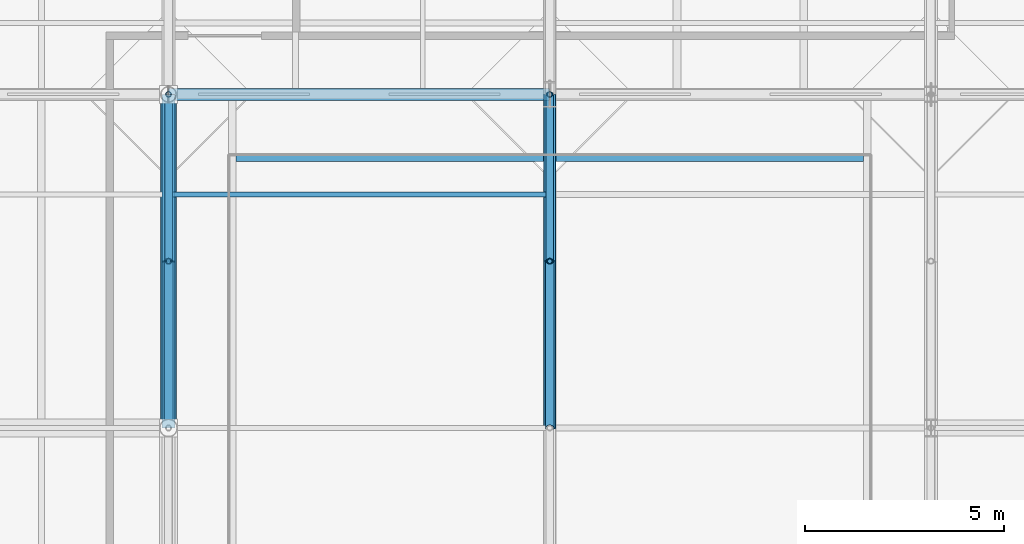
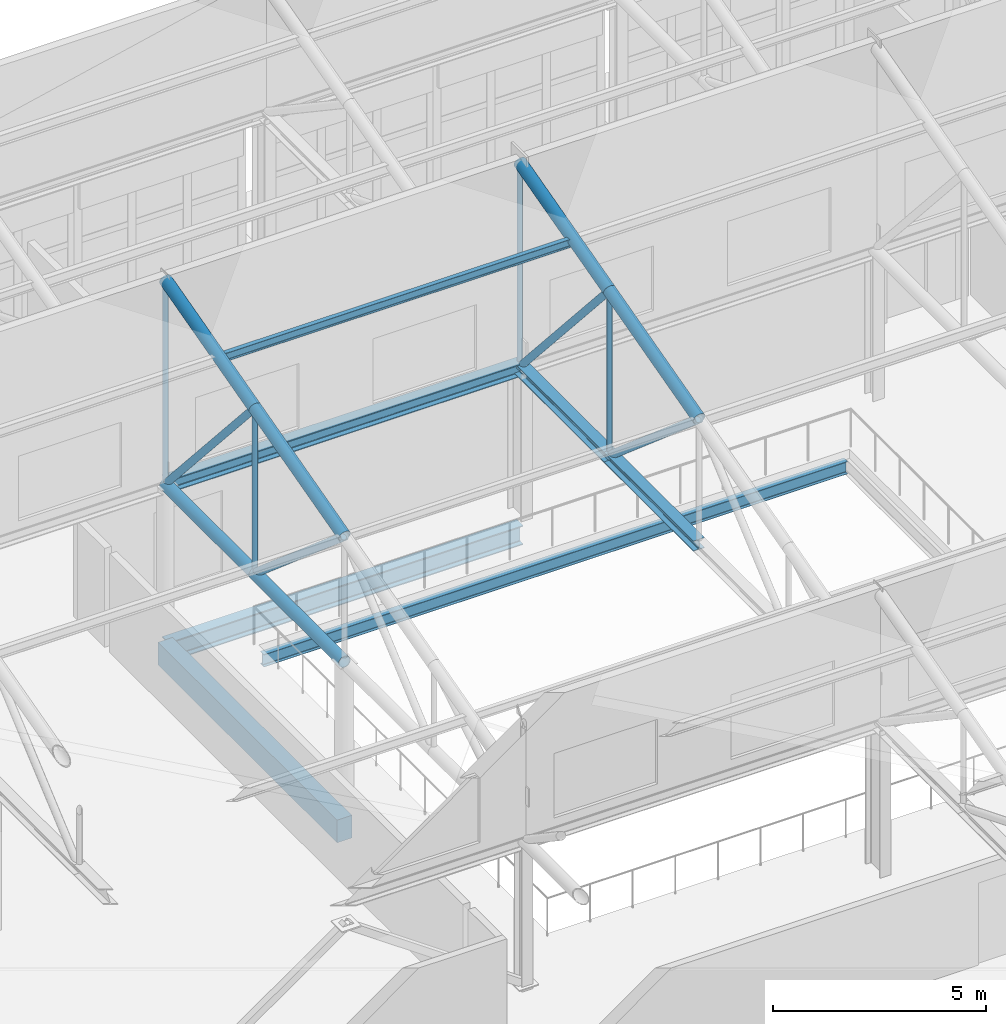
# One storey, part 36 of 89: 17 members, 4 beams.
"""IFC4 building model written with IfcOpenShell, lengths in metres."""

from ifc_helpers import new_model, si_unit, direction, frame, origin, origin_2d, place, context, subcontext, project, spatial, rectangle, hollow_circle, i_section, extrude, material, material_profile, profile_set, type_object, element, save


model = new_model("IFC4")

# Units and contexts
model_context = context("Model", 3, precision=1e-05, world=origin(), true_north=direction((0.0, 1.0)))
body_context = subcontext(model_context, "Body", "Model", "MODEL_VIEW")
ifc_project = project(units=[si_unit("LENGTHUNIT", "METRE"), si_unit("AREAUNIT", "SQUARE_METRE"), si_unit("VOLUMEUNIT", "CUBIC_METRE"), si_unit("PLANEANGLEUNIT", "RADIAN"), si_unit("MASSUNIT", "GRAM", prefix="KILO")], contexts=[model_context])

# Site, building, storey
site_placement = place(None, origin())
site = spatial("IfcSite", under=ifc_project, at=site_placement, CompositionType="ELEMENT")
building_placement = place(site_placement, origin())
building = spatial("IfcBuilding", under=site, at=building_placement, Name="Zereglee Splitstone Museum", CompositionType="ELEMENT")
storey_placement = place(building_placement, frame((0.0, 0.0, 21.300048828125)))
storey = spatial("IfcBuildingStorey", under=building, at=storey_placement, Name="L04", CompositionType="ELEMENT", Elevation=21.300048828125)

# Beam
ifc_material_1 = material(Name="Concrete C40/50", Category="concrete")
ifc_material_profile_1 = material_profile(ifc_material_1, rectangle(XDim=0.39990234375, YDim=0.64990234375, at=origin_2d()), Name="RC 400x650")
ifc_profile_set_1 = profile_set([ifc_material_profile_1], Name="Concrete C40/50")
beam_type_1 = type_object("IfcBeamType", Name="BG-04", PredefinedType="BEAM", material=ifc_profile_set_1)
beam_1_placement = place(storey_placement, frame((97.199951171875, 30.0, -0.5849609375), z_axis=(0.0, 1.0, 0.0), x_axis=(-1.0, 0.0, 0.0)))
element("IfcBeam", 1, at=beam_1_placement, inside=storey, type_object=beam_type_1, Name="Primary Girder L04 12 (30.0-38.4)", PredefinedType="BEAM", context=body_context, shape_type="SweptSolid", body=[
    extrude(rectangle(XDim=0.39990234375, YDim=0.64990234375, at=origin_2d()), origin(), (0.0, 0.0, 1.0), 8.39990234375),
])

# Members
ifc_material_2 = material(Name="Steel S355J2H", Category="steel")
ifc_material_profile_2 = material_profile(ifc_material_2, hollow_circle(Radius=0.096923828125, WallThickness=0.010009765625, at=origin_2d()), Name="CHS 193.7x10")
ifc_profile_set_2 = profile_set([ifc_material_profile_2], Name="Steel S355J2H")
member_type_1 = type_object("IfcMemberType", Name="TB-04", PredefinedType="BRACE", material=ifc_profile_set_2)
for number, where, z_axis, x_axis, name in (
    (2, (97.199951171875, 38.39990234375, 4.199951171875), (0.0, -0.664351853733, 0.747419971932), (1.0, 0.0, 0.0), "Roof Truss ST-03 Diagonal 2.4"),
    (3, (106.800048828125, 38.39990234375, 4.199951171875), (0.0, -0.664351853733, 0.747419971932), (1.0, 0.0, 0.0), "Roof Truss ST-04 Diagonal 2.4"),
):
    element("IfcMember", number, at=place(storey_placement, frame(where, z_axis=z_axis, x_axis=x_axis)), inside=storey, type_object=member_type_1, Name=name, PredefinedType="BRACE", context=body_context, shape_type="SweptSolid", body=[
        extrude(hollow_circle(Radius=0.096923828125, WallThickness=0.010009765625, at=origin_2d()), origin(), (0.0, 0.0, 1.0), 6.32177734375),
    ])
ifc_material_profile_3 = material_profile(ifc_material_2, hollow_circle(Radius=0.109619140625, WallThickness=0.010009765625, at=origin_2d()), Name="CHS 219.1x10")
ifc_profile_set_3 = profile_set([ifc_material_profile_3], Name="Steel S355J2H")
member_type_2 = type_object("IfcMemberType", Name="TB-03", PredefinedType="BRACE", material=ifc_profile_set_3)
for number, where, z_axis, x_axis, name in (
    (4, (97.199951171875, 34.199951171875, 4.199951171875), (0.0, -0.759244140748, 0.650805911728), (1.0, 0.0, 0.0), "Roof Truss ST-03 Diagonal 2.3"),
    (5, (106.800048828125, 34.199951171875, 4.199951171875), (0.0, -0.759244140748, 0.650805911728), (1.0, 0.0, 0.0), "Roof Truss ST-04 Diagonal 2.3"),
):
    element("IfcMember", number, at=place(storey_placement, frame(where, z_axis=z_axis, x_axis=x_axis)), inside=storey, type_object=member_type_2, Name=name, PredefinedType="BRACE", context=body_context, shape_type="SweptSolid", body=[
        extrude(hollow_circle(Radius=0.109619140625, WallThickness=0.010009765625, at=origin_2d()), origin(), (0.0, 0.0, 1.0), 5.53173828125),
    ])
ifc_material_profile_4 = material_profile(ifc_material_2, hollow_circle(Radius=0.161865234375, WallThickness=0.01611328125, at=origin_2d()), Name="CHS 323.9x16")
ifc_profile_set_4 = profile_set([ifc_material_profile_4], Name="Steel S355J2H")
member_type_3 = type_object("IfcMemberType", Name="TC-05", PredefinedType="CHORD", material=ifc_profile_set_4)
member_1_placement = place(storey_placement, frame((97.199951171875, 30.0, 4.199951171875), z_axis=(0.0, 1.0, 0.0), x_axis=(-1.0, 0.0, 0.0)))
element("IfcMember", 6, at=member_1_placement, inside=storey, type_object=member_type_3, Name="Roof Truss ST-03 Bottom Chord 2.3", PredefinedType="CHORD", context=body_context, shape_type="SweptSolid", body=[
    extrude(hollow_circle(Radius=0.161865234375, WallThickness=0.01611328125, at=origin_2d()), origin(), (0.0, 0.0, 1.0), 4.199951171875),
])
member_2_placement = place(storey_placement, frame((97.199951171875, 30.0, 7.800048828125), z_axis=(0.0, 0.965947299715, 0.258738891884), x_axis=(-1.0, 0.0, 0.0)))
element("IfcMember", 7, at=member_2_placement, inside=storey, type_object=member_type_3, Name="Roof Truss ST-03 Top Chord 2.3", PredefinedType="CHORD", context=body_context, shape_type="SweptSolid", body=[
    extrude(hollow_circle(Radius=0.161865234375, WallThickness=0.01611328125, at=origin_2d()), origin(), (0.0, 0.0, 1.0), 4.347900390625),
])
member_3_placement = place(storey_placement, frame((97.199951171875, 34.199951171875, 4.199951171875), z_axis=(0.0, 1.0, 0.0), x_axis=(-1.0, 0.0, 0.0)))
element("IfcMember", 8, at=member_3_placement, inside=storey, type_object=member_type_3, Name="Roof Truss ST-03 Bottom Chord 2.4", PredefinedType="CHORD", context=body_context, shape_type="SweptSolid", body=[
    extrude(hollow_circle(Radius=0.161865234375, WallThickness=0.01611328125, at=origin_2d()), origin(), (0.0, 0.0, 1.0), 4.199951171875),
])
for number, where, z_axis, x_axis, name in (
    (9, (97.199951171875, 34.199951171875, 8.925048828125), (0.0, 0.965947299715, 0.258738891884), (-1.0, 0.0, 0.0), "Roof Truss ST-03 Top Chord 2.4"),
    (10, (106.800048828125, 30.0, 7.800048828125), (0.0, 0.965947299715, 0.258738891884), (-1.0, 0.0, 0.0), "Roof Truss ST-04 Top Chord 2.3"),
    (11, (106.800048828125, 34.199951171875, 8.925048828125), (0.0, 0.965947299715, 0.258738891884), (-1.0, 0.0, 0.0), "Roof Truss ST-04 Top Chord 2.4"),
):
    element("IfcMember", number, at=place(storey_placement, frame(where, z_axis=z_axis, x_axis=x_axis)), inside=storey, type_object=member_type_3, Name=name, PredefinedType="CHORD", context=body_context, shape_type="SweptSolid", body=[
        extrude(hollow_circle(Radius=0.161865234375, WallThickness=0.01611328125, at=origin_2d()), origin(), (0.0, 0.0, 1.0), 4.347900390625),
    ])
ifc_material_3 = material(Name="Steel S355J2", Category="steel")
ifc_material_profile_5 = material_profile(ifc_material_3, i_section(OverallWidth=0.300048828125, OverallDepth=0.300048828125, WebThickness=0.010986328125, FlangeThickness=0.01904296875, FilletRadius=0.027099609375, at=origin_2d()), Name="HE 300 B")
ifc_profile_set_5 = profile_set([ifc_material_profile_5], Name="Steel S355J2")
member_type_4 = type_object("IfcMemberType", Name="TC-07", PredefinedType="CHORD", material=ifc_profile_set_5)
for number, where, z_axis, x_axis, name in (
    (12, (106.800048828125, 30.0, 4.199951171875), (0.0, 1.0, 0.0), (-1.0, 0.0, 0.0), "Roof Truss ST-04 Bottom Chord 2.3"),
    (13, (106.800048828125, 34.199951171875, 4.199951171875), (0.0, 1.0, 0.0), (-1.0, 0.0, 0.0), "Roof Truss ST-04 Bottom Chord 2.4"),
):
    element("IfcMember", number, at=place(storey_placement, frame(where, z_axis=z_axis, x_axis=x_axis)), inside=storey, type_object=member_type_4, Name=name, PredefinedType="CHORD", context=body_context, shape_type="SweptSolid", body=[
        extrude(i_section(OverallWidth=0.300048828125, OverallDepth=0.300048828125, WebThickness=0.010986328125, FlangeThickness=0.01904296875, FilletRadius=0.027099609375, at=origin_2d()), origin(), (0.0, 0.0, 1.0), 4.199951171875),
    ])

# Beams
ifc_material_profile_6 = material_profile(ifc_material_3, i_section(OverallWidth=0.300048828125, OverallDepth=0.360107421875, WebThickness=0.012451171875, FlangeThickness=0.0224609375, FilletRadius=0.027099609375, at=origin_2d()), Name="HE 360 B")
ifc_profile_set_6 = profile_set([ifc_material_profile_6], Name="Steel S355J2")
beam_type_2 = type_object("IfcBeamType", Name="BG-14", PredefinedType="BEAM", material=ifc_profile_set_6)
beam_2_placement = place(storey_placement, frame((97.199951171875, 38.39990234375, 4.199951171875), z_axis=(1.0, 0.0, 0.0), x_axis=(0.0, 1.0, 0.0)))
element("IfcBeam", 14, at=beam_2_placement, inside=storey, type_object=beam_type_2, Name="Sawtooth Monitor Sill Beam B3-S2", PredefinedType="BEAM", context=body_context, shape_type="SweptSolid", body=[
    extrude(i_section(OverallWidth=0.300048828125, OverallDepth=0.360107421875, WebThickness=0.012451171875, FlangeThickness=0.0224609375, FilletRadius=0.027099609375, at=origin_2d()), origin(), (0.0, 0.0, 1.0), 9.60009765625),
])
ifc_material_profile_7 = material_profile(ifc_material_3, i_section(OverallWidth=0.300048828125, OverallDepth=0.550048828125, WebThickness=0.014892578125, FlangeThickness=0.029052734375, FilletRadius=0.027099609375, at=origin_2d()), Name="HE 550 B")
ifc_profile_set_7 = profile_set([ifc_material_profile_7], Name="Steel S355J2")
beam_type_3 = type_object("IfcBeamType", Name="BG-11", PredefinedType="BEAM", material=ifc_profile_set_7)
beam_3_placement = place(storey_placement, frame((97.199951171875, 38.39990234375, -0.53515625), z_axis=(1.0, 0.0, 0.0), x_axis=(0.0, 1.0, 0.0)))
element("IfcBeam", 15, at=beam_3_placement, inside=storey, type_object=beam_type_3, Name="Primary Girder L04 E (97.2-106.8)", PredefinedType="BEAM", context=body_context, shape_type="SweptSolid", body=[
    extrude(i_section(OverallWidth=0.300048828125, OverallDepth=0.550048828125, WebThickness=0.014892578125, FlangeThickness=0.029052734375, FilletRadius=0.027099609375, at=origin_2d()), origin(), (0.0, 0.0, 1.0), 9.60009765625),
])
ifc_material_profile_8 = material_profile(ifc_material_3, i_section(OverallWidth=0.169921875, OverallDepth=0.360107421875, WebThickness=0.008056640625, FlangeThickness=0.0126953125, FilletRadius=0.01806640625, at=origin_2d()), Name="IPE 360")
ifc_profile_set_8 = profile_set([ifc_material_profile_8], Name="Steel S355J2")
beam_type_4 = type_object("IfcBeamType", Name="BJ-04", PredefinedType="JOIST", material=ifc_profile_set_8)
beam_4_placement = place(storey_placement, frame((98.89990234375, 36.800048828125, -0.43994140625), z_axis=(1.0, 0.0, 0.0), x_axis=(0.0, 1.0, 0.0)))
element("IfcBeam", 16, at=beam_4_placement, inside=storey, type_object=beam_type_4, Name="Atrium Rim Beam L04 N", PredefinedType="JOIST", context=body_context, shape_type="SweptSolid", body=[
    extrude(i_section(OverallWidth=0.169921875, OverallDepth=0.360107421875, WebThickness=0.008056640625, FlangeThickness=0.0126953125, FilletRadius=0.01806640625, at=origin_2d()), origin(), (0.0, 0.0, 1.0), 15.800048828125),
])

# Members
ifc_material_profile_9 = material_profile(ifc_material_2, hollow_circle(Radius=0.06982421875, WallThickness=0.008056640625, at=origin_2d()), Name="CHS 139.7x8")
ifc_profile_set_9 = profile_set([ifc_material_profile_9], Name="Steel S355J2H")
member_type_5 = type_object("IfcMemberType", Name="TP-03", PredefinedType="POST", material=ifc_profile_set_9)
member_4_placement = place(storey_placement, frame((97.199951171875, 34.199951171875, 4.199951171875), z_axis=(0.0, 0.0, 1.0), x_axis=(1.0, 0.0, 0.0)))
element("IfcMember", 17, at=member_4_placement, inside=storey, type_object=member_type_5, Name="Roof Truss ST-03 Post 2.3", PredefinedType="POST", context=body_context, shape_type="SweptSolid", body=[
    extrude(hollow_circle(Radius=0.06982421875, WallThickness=0.008056640625, at=origin_2d()), origin(), (0.0, 0.0, 1.0), 4.72509765625),
])
member_5_placement = place(storey_placement, frame((97.199951171875, 38.39990234375, 4.199951171875), z_axis=(0.0, 0.0, 1.0), x_axis=(1.0, 0.0, 0.0)))
element("IfcMember", 18, at=member_5_placement, inside=storey, type_object=member_type_5, Name="Roof Truss ST-03 Post 2.4", PredefinedType="POST", context=body_context, shape_type="SweptSolid", body=[
    extrude(hollow_circle(Radius=0.06982421875, WallThickness=0.008056640625, at=origin_2d()), origin(), (0.0, 0.0, 1.0), 5.85009765625),
])
member_6_placement = place(storey_placement, frame((106.800048828125, 34.199951171875, 4.199951171875), z_axis=(0.0, 0.0, 1.0), x_axis=(1.0, 0.0, 0.0)))
element("IfcMember", 19, at=member_6_placement, inside=storey, type_object=member_type_5, Name="Roof Truss ST-04 Post 2.3", PredefinedType="POST", context=body_context, shape_type="SweptSolid", body=[
    extrude(hollow_circle(Radius=0.06982421875, WallThickness=0.008056640625, at=origin_2d()), origin(), (0.0, 0.0, 1.0), 4.72509765625),
])
member_7_placement = place(storey_placement, frame((106.800048828125, 38.39990234375, 4.199951171875), z_axis=(0.0, 0.0, 1.0), x_axis=(1.0, 0.0, 0.0)))
element("IfcMember", 20, at=member_7_placement, inside=storey, type_object=member_type_5, Name="Roof Truss ST-04 Post 2.4", PredefinedType="POST", context=body_context, shape_type="SweptSolid", body=[
    extrude(hollow_circle(Radius=0.06982421875, WallThickness=0.008056640625, at=origin_2d()), origin(), (0.0, 0.0, 1.0), 5.85009765625),
])
ifc_material_profile_10 = material_profile(ifc_material_3, i_section(OverallWidth=0.1201171875, OverallDepth=0.239990234375, WebThickness=0.006103515625, FlangeThickness=0.009765625, FilletRadius=0.014892578125, at=origin_2d()), Name="IPE 240")
ifc_profile_set_10 = profile_set([ifc_material_profile_10], Name="Steel S355J2")
member_type_6 = type_object("IfcMemberType", Name="PR-03", PredefinedType="PURLIN", material=ifc_profile_set_10)
member_8_placement = place(storey_placement, frame((97.199951171875, 35.8798828125, 9.3291015625), z_axis=(1.0, 0.0, 0.0), x_axis=(0.0, 1.0, 0.0)))
element("IfcMember", 21, at=member_8_placement, inside=storey, type_object=member_type_6, Name="Sawtooth Roof Purlin B3-S2-3", PredefinedType="PURLIN", context=body_context, shape_type="SweptSolid", body=[
    extrude(i_section(OverallWidth=0.1201171875, OverallDepth=0.239990234375, WebThickness=0.006103515625, FlangeThickness=0.009765625, FilletRadius=0.014892578125, at=origin_2d()), origin(), (0.0, 0.0, 1.0), 9.60009765625),
])

save(model, "model.ifc")
